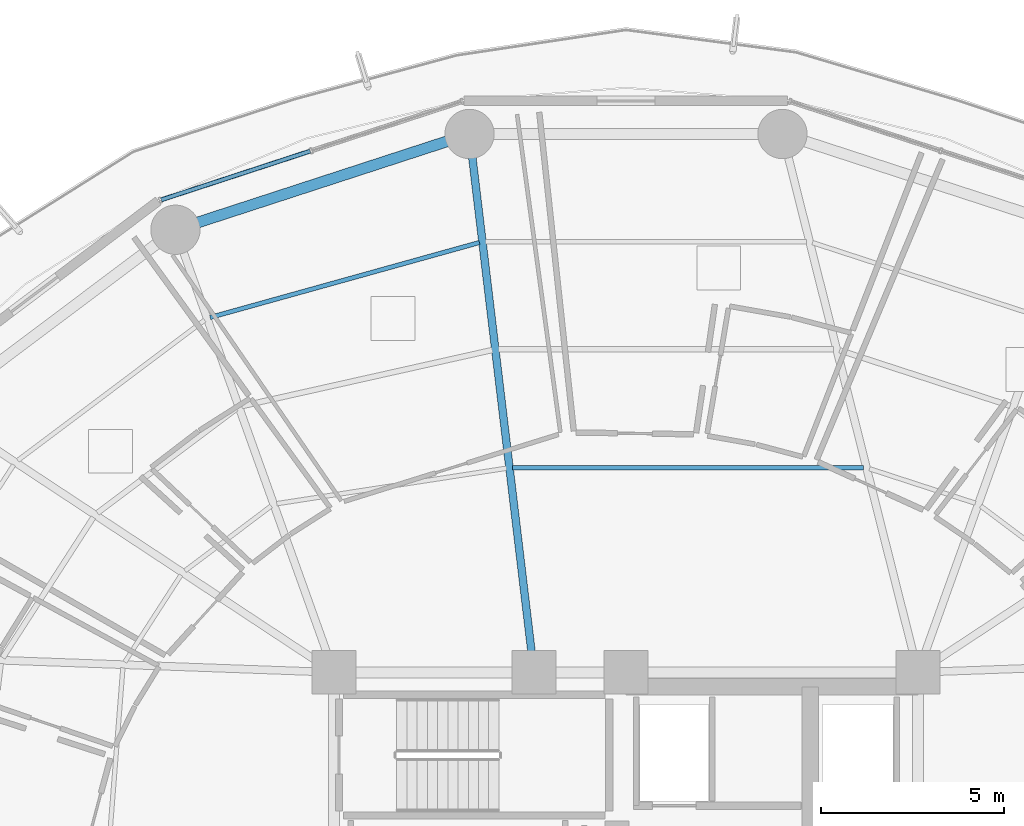
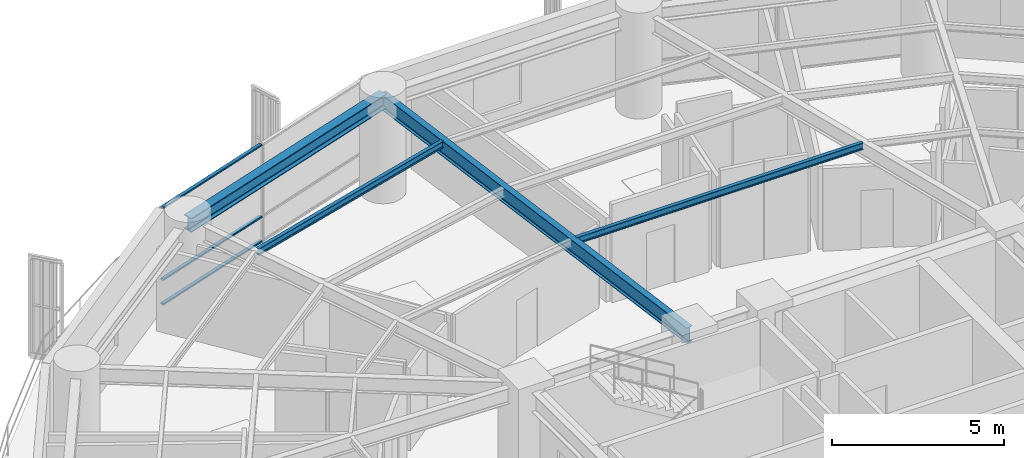
# One storey, part 21 of 37: 4 beams, 3 members, 1 element without a shape of its own.
"""IFC4 building model written with IfcOpenShell, lengths in metres."""

from ifc_helpers import new_model, si_unit, direction, frame, origin, origin_2d, place, context, subcontext, project, spatial, hollow_rectangle, i_section, extrude, material, layer, layer_set, material_profile, profile_set, type_object, element, aggregate, save


model = new_model("IFC4")

# Units and contexts
model_context = context("Model", 3, precision=1e-05, world=origin(), true_north=direction((0.0, 1.0)))
body_context = subcontext(model_context, "Body", "Model", "MODEL_VIEW")
ifc_project = project(units=[si_unit("LENGTHUNIT", "METRE"), si_unit("AREAUNIT", "SQUARE_METRE"), si_unit("VOLUMEUNIT", "CUBIC_METRE"), si_unit("PLANEANGLEUNIT", "RADIAN"), si_unit("MASSUNIT", "GRAM", prefix="KILO")], contexts=[model_context])

# Site, building, storey
site_placement = place(None, origin())
site = spatial("IfcSite", under=ifc_project, at=site_placement, CompositionType="ELEMENT")
building_placement = place(site_placement, origin())
building = spatial("IfcBuilding", under=site, at=building_placement, Name="Kelanora Arch Commons", CompositionType="ELEMENT")
storey_placement = place(building_placement, frame((0.0, 0.0, 113.85009765625)))
storey = spatial("IfcBuildingStorey", under=building, at=storey_placement, Name="L29", CompositionType="ELEMENT", Elevation=113.85009765625)

# Beams
ifc_material_1 = material(Name="Steel S355", Category="steel")
ifc_material_profile_1 = material_profile(ifc_material_1, i_section(OverallWidth=0.1201171875, OverallDepth=0.239990234375, WebThickness=0.006103515625, FlangeThickness=0.009765625, FilletRadius=0.014892578125, at=origin_2d()), Name="IPE240")
ifc_profile_set_1 = profile_set([ifc_material_profile_1], Name="Steel S355")
beam_type_1 = type_object("IfcBeamType", Name="BM-JST-02", PredefinedType="JOIST", material=ifc_profile_set_1)
beam_1_placement = place(storey_placement, frame((80.50341796875, 70.602783203125, 3.369873046875), z_axis=(-1.0, 0.0, 0.0), x_axis=(0.0, -1.0, 0.0)))
element("IfcBeam", 1, at=beam_1_placement, inside=storey, type_object=beam_type_1, Name="Secondary Chord Joist BJA-08 L29", PredefinedType="JOIST", context=body_context, shape_type="SweptSolid", body=[
    extrude(i_section(OverallWidth=0.1201171875, OverallDepth=0.239990234375, WebThickness=0.006103515625, FlangeThickness=0.009765625, FilletRadius=0.014892578125, at=origin_2d()), origin(), (0.0, 0.0, 1.0), 9.609375),
])
beam_2_placement = place(storey_placement, frame((69.985595703125, 76.77294921875, 3.369873046875), z_axis=(-0.963385760896, -0.268119144603, 0.0), x_axis=(0.268119144603, -0.963385760896, 0.0)))
element("IfcBeam", 2, at=beam_2_placement, inside=storey, type_object=beam_type_1, Name="Secondary Chord Joist BJC-10 L29", PredefinedType="JOIST", context=body_context, shape_type="SweptSolid", body=[
    extrude(i_section(OverallWidth=0.1201171875, OverallDepth=0.239990234375, WebThickness=0.006103515625, FlangeThickness=0.009765625, FilletRadius=0.014892578125, at=origin_2d()), origin(), (0.0, 0.0, 1.0), 7.656005859375),
])
ifc_material_profile_2 = material_profile(ifc_material_1, i_section(OverallWidth=0.2099609375, OverallDepth=0.550048828125, WebThickness=0.010986328125, FlangeThickness=0.01708984375, FilletRadius=0.02392578125, at=origin_2d()), Name="IPE550")
ifc_profile_set_2 = profile_set([ifc_material_profile_2], Name="Steel S355")
beam_type_2 = type_object("IfcBeamType", Name="BM-RAD-Z2", PredefinedType="BEAM", material=ifc_profile_set_2)
beam_3_placement = place(storey_placement, frame((71.47998046875, 65.0, 3.21484375), z_axis=(-0.118897572414, 0.992906524943, 0.0), x_axis=(-0.992906524943, -0.118897572414, 0.0)))
element("IfcBeam", 3, at=beam_3_placement, inside=storey, type_object=beam_type_2, Name="Radial Floor Girder BR-10 L29", PredefinedType="BEAM", context=body_context, shape_type="SweptSolid", body=[
    extrude(i_section(OverallWidth=0.2099609375, OverallDepth=0.550048828125, WebThickness=0.010986328125, FlangeThickness=0.01708984375, FilletRadius=0.02392578125, at=origin_2d()), origin(), (0.0, 0.0, 1.0), 14.849853515625),
])
ifc_material_profile_3 = material_profile(ifc_material_1, i_section(OverallWidth=0.300048828125, OverallDepth=0.5, WebThickness=0.014404296875, FlangeThickness=0.028076171875, FilletRadius=0.027099609375, at=origin_2d()), Name="HEB500")
ifc_profile_set_3 = profile_set([ifc_material_profile_3], Name="Steel S355")
beam_type_3 = type_object("IfcBeamType", Name="BM-SPN-Z2", PredefinedType="SPANDREL", material=ifc_profile_set_3)
beam_4_placement = place(storey_placement, frame((69.71435546875, 79.74462890625, 3.239990234375), z_axis=(-0.950856631974, -0.309631499418, 0.0), x_axis=(0.309631499418, -0.950856631974, 0.0)))
element("IfcBeam", 4, at=beam_4_placement, inside=storey, type_object=beam_type_3, Name="Perimeter Spandrel Beam BS-10 L29", PredefinedType="SPANDREL", context=body_context, shape_type="SweptSolid", body=[
    extrude(i_section(OverallWidth=0.300048828125, OverallDepth=0.5, WebThickness=0.014404296875, FlangeThickness=0.028076171875, FilletRadius=0.027099609375, at=origin_2d()), origin(), (0.0, 0.0, 1.0), 8.470703125),
])

# Curtain wall, members
ifc_material_2 = material(Name="Terracotta ceramic-fritted low-E glass and aluminium", Category="masonry")
ifc_layer = layer(ifc_material_2, 0.159912109375)
ifc_layer_set = layer_set([ifc_layer], Name="Terracotta ceramic-fritted low-E glass and aluminium")
curtain_wall_type = type_object("IfcCurtainWallType", Name="CW-SYS-01", PredefinedType="NOTDEFINED", material=ifc_layer_set)
curtain_wall_placement = place(storey_placement, origin())
curtain_wall = element("IfcCurtainWall", 5, at=curtain_wall_placement, inside=storey, type_object=curtain_wall_type, Name="Unitised Curtain Wall L29-B05", PredefinedType="NOTDEFINED")
ifc_material_3 = material(Name="Powder-coated aluminium terracotta", Category="masonry")
ifc_material_profile_4 = material_profile(ifc_material_3, hollow_rectangle(XDim=0.1201171875, YDim=0.06005859375, WallThickness=0.0048828125, InnerFilletRadius=0.0048828125, OuterFilletRadius=0.010009765625, at=origin_2d()), Name="CWT120x60")
ifc_profile_set_4 = profile_set([ifc_material_profile_4], Name="Powder-coated aluminium terracotta")
member_type = type_object("IfcMemberType", Name="CWT-STD", PredefinedType="USERDEFINED", material=ifc_profile_set_4)
member_1_placement = place(storey_placement, frame((65.348876953125, 79.275390625, 0.02978515625), z_axis=(-0.950466230394, -0.310827838008, 0.0), x_axis=(0.310827838008, -0.950466230394, 0.0)))
member_1 = element("IfcMember", 6, at=member_1_placement, type_object=member_type, Name="CW-01 transom 2.1", ObjectType="TRANSOM", PredefinedType="USERDEFINED", context=body_context, shape_type="SweptSolid", body=[
    extrude(hollow_rectangle(XDim=0.1201171875, YDim=0.06005859375, WallThickness=0.0048828125, InnerFilletRadius=0.0048828125, OuterFilletRadius=0.010009765625, at=origin_2d()), origin(), (0.0, 0.0, 1.0), 4.2900390625),
])
member_2_placement = place(storey_placement, frame((65.348876953125, 79.275390625, 0.89990234375), z_axis=(-0.950466230394, -0.310827838008, 0.0), x_axis=(0.310827838008, -0.950466230394, 0.0)))
member_2 = element("IfcMember", 7, at=member_2_placement, type_object=member_type, Name="CW-01 transom 2.2", ObjectType="TRANSOM", PredefinedType="USERDEFINED", context=body_context, shape_type="SweptSolid", body=[
    extrude(hollow_rectangle(XDim=0.1201171875, YDim=0.06005859375, WallThickness=0.0048828125, InnerFilletRadius=0.0048828125, OuterFilletRadius=0.010009765625, at=origin_2d()), origin(), (0.0, 0.0, 1.0), 4.2900390625),
])
member_3_placement = place(storey_placement, frame((65.348876953125, 79.275390625, 3.44482421875), z_axis=(-0.950466230394, -0.310827838008, 0.0), x_axis=(0.310827838008, -0.950466230394, 0.0)))
member_3 = element("IfcMember", 8, at=member_3_placement, type_object=member_type, Name="CW-01 transom 2.3", ObjectType="TRANSOM", PredefinedType="USERDEFINED", context=body_context, shape_type="SweptSolid", body=[
    extrude(hollow_rectangle(XDim=0.1201171875, YDim=0.06005859375, WallThickness=0.0048828125, InnerFilletRadius=0.0048828125, OuterFilletRadius=0.010009765625, at=origin_2d()), origin(), (0.0, 0.0, 1.0), 4.2900390625),
])
aggregate(curtain_wall, [member_1, member_2, member_3])

save(model, "model.ifc")
